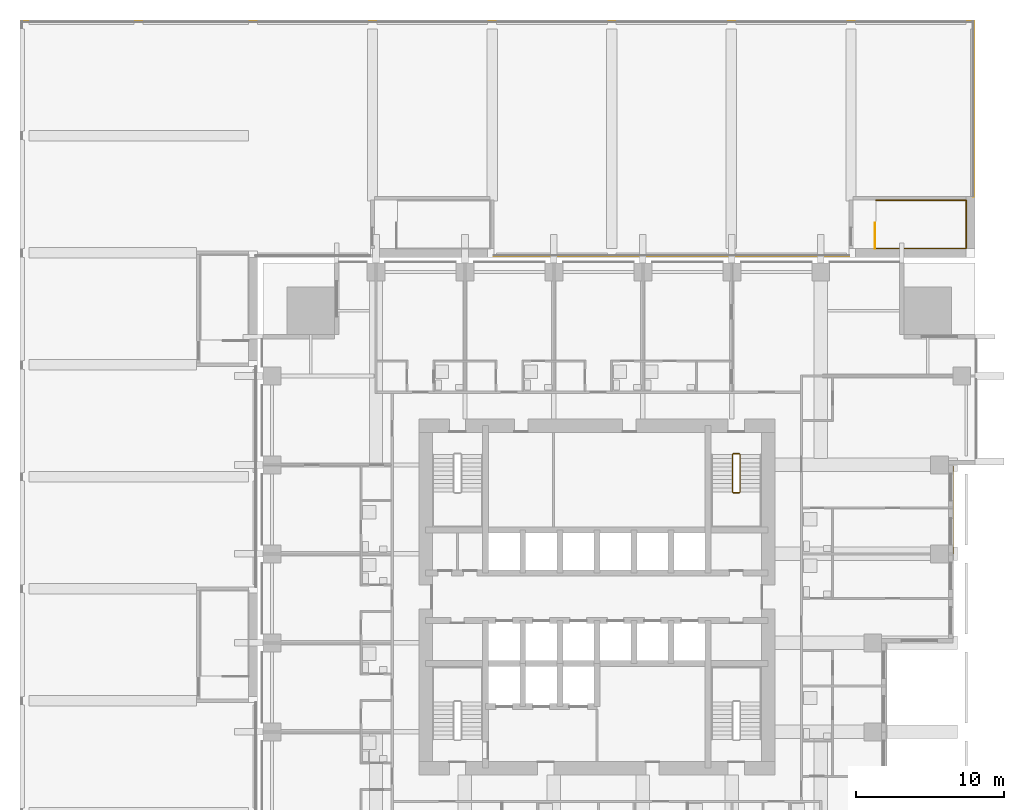
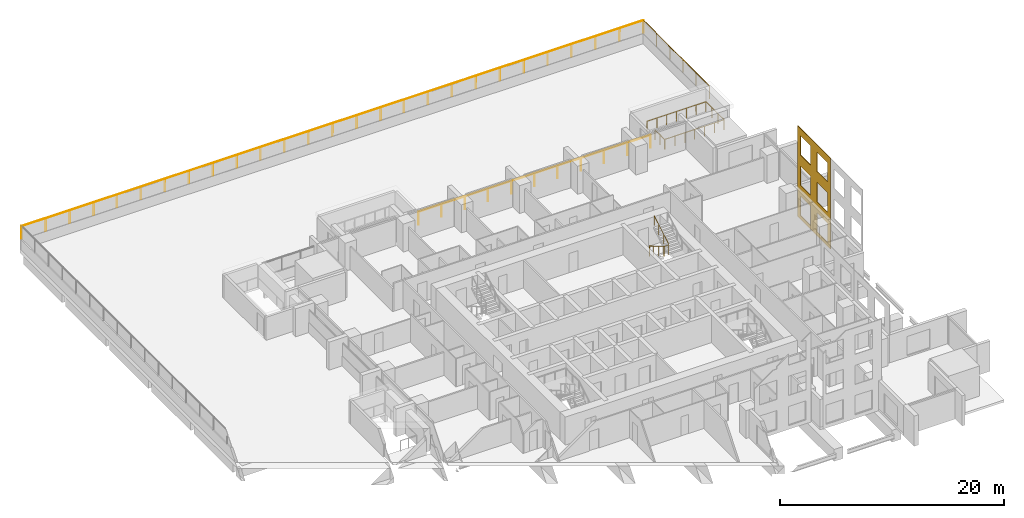
# One storey, part 14 of 15: 6 railings, 1 covering.
"""IFC4 building model written with IfcOpenShell, lengths in metres."""

from ifc_helpers import new_model, si_unit, direction, frame, origin, origin_2d, place, context, subcontext, project, spatial, polyline, circle, outline, extrude, material, layer, layer_set, type_object, element, save


model = new_model("IFC4")

# Units and contexts
model_context = context("Model", 3, precision=1e-05, world=origin(), true_north=direction((0.0, 1.0)))
body_context = subcontext(model_context, "Body", "Model", "MODEL_VIEW")
ifc_project = project(units=[si_unit("LENGTHUNIT", "METRE"), si_unit("AREAUNIT", "SQUARE_METRE"), si_unit("VOLUMEUNIT", "CUBIC_METRE"), si_unit("PLANEANGLEUNIT", "RADIAN"), si_unit("MASSUNIT", "GRAM", prefix="KILO")], contexts=[model_context])

# Site, building, storey
site_placement = place(None, origin())
site = spatial("IfcSite", under=ifc_project, at=site_placement, CompositionType="ELEMENT")
building_placement = place(site_placement, origin())
building = spatial("IfcBuilding", under=site, at=building_placement, Name="Amberfall Residences", CompositionType="ELEMENT")
storey_placement = place(building_placement, frame((0.0, 0.0, 23.5)))
storey = spatial("IfcBuildingStorey", under=building, at=storey_placement, Name="L05", CompositionType="ELEMENT", Elevation=23.5)

# Covering
ifc_material_1 = material(Name="Pale limestone cladding", Category="masonry")
ifc_layer = layer(ifc_material_1, 0.050048828125)
ifc_layer_set = layer_set([ifc_layer], Name="Limestone fascia 50")
covering_type = type_object("IfcCoveringType", Name="Limestone fascia 50", PredefinedType="CLADDING", material=ifc_layer_set)
covering_placement = place(storey_placement, frame((98.5, 48.39990234375, 9.64990234375), z_axis=(-1.0, 0.0, 0.0), x_axis=(0.0, 1.0, 0.0)))
element("IfcCovering", 1, at=covering_placement, inside=storey, type_object=covering_type, Name="Pale limestone cladding L05-L07 E", PredefinedType="CLADDING", context=body_context, shape_type="SweptSolid", body=[
    extrude(outline(polyline([(0.0, 0.0), (5.91015625, 0.0), (5.91015625, 9.89990234375), (0.0, 9.89990234375), (0.0, 0.0)]), holes=[polyline([(0.60009765625, 7.39990234375), (2.400146484375, 7.39990234375), (2.400146484375, 9.5), (0.60009765625, 9.5), (0.60009765625, 7.39990234375)]), polyline([(3.60009765625, 7.39990234375), (5.400146484375, 7.39990234375), (5.400146484375, 9.5), (3.60009765625, 9.5), (3.60009765625, 7.39990234375)]), polyline([(0.60009765625, 4.099853515625), (2.400146484375, 4.099853515625), (2.400146484375, 6.199951171875), (0.60009765625, 6.199951171875), (0.60009765625, 4.099853515625)]), polyline([(3.60009765625, 4.099853515625), (5.400146484375, 4.099853515625), (5.400146484375, 6.199951171875), (3.60009765625, 6.199951171875), (3.60009765625, 4.099853515625)]), polyline([(0.60009765625, 0.7998046875), (2.400146484375, 0.7998046875), (2.400146484375, 2.89990234375), (0.60009765625, 2.89990234375), (0.60009765625, 0.7998046875)]), polyline([(3.60009765625, 0.7998046875), (5.400146484375, 0.7998046875), (5.400146484375, 2.89990234375), (3.60009765625, 2.89990234375), (3.60009765625, 0.7998046875)])]), origin(), (0.0, 0.0, -1.0), 0.050048828125),
])

# Railings
ifc_material_2 = material(Name="Galvanised steel", Category="steel")
railing_type_1 = type_object("IfcRailingType", Name="School playground fence 1400", PredefinedType="GUARDRAIL", material=ifc_material_2)
railing_1_placement = place(storey_placement, frame((67.55810546875, 68.5, 1.10009765625)))
element("IfcRailing", 2, at=railing_1_placement, inside=storey, type_object=railing_type_1, Name="School playground fence", PredefinedType="GUARDRAIL", context=body_context, shape_type="SweptSolid", body=[
    extrude(circle(Radius=0.02392578125, at=origin_2d()), frame((0.0, 0.0, 1.3759765625), z_axis=(1.0, 0.0, 0.0), x_axis=(0.0, 1.0, 0.0)), (0.0, 0.0, 1.0), 23.949951171875),
    extrude(circle(Radius=0.02099609375, at=origin_2d()), origin(), (0.0, 0.0, 1.0), 1.351806640625),
    extrude(circle(Radius=0.02099609375, at=origin_2d()), frame((2.39501953125, 0.0, 0.0)), (0.0, 0.0, 1.0), 1.351806640625),
    extrude(circle(Radius=0.02099609375, at=origin_2d()), frame((4.7900390625, 0.0, 0.0)), (0.0, 0.0, 1.0), 1.351806640625),
    extrude(circle(Radius=0.02099609375, at=origin_2d()), frame((7.18505859375, 0.0, 0.0)), (0.0, 0.0, 1.0), 1.351806640625),
    extrude(circle(Radius=0.02099609375, at=origin_2d()), frame((9.580078125, 0.0, 0.0)), (0.0, 0.0, 1.0), 1.351806640625),
    extrude(circle(Radius=0.02099609375, at=origin_2d()), frame((11.97509765625, 0.0, 0.0)), (0.0, 0.0, 1.0), 1.351806640625),
    extrude(circle(Radius=0.02099609375, at=origin_2d()), frame((14.369873046875, 0.0, 0.0)), (0.0, 0.0, 1.0), 1.351806640625),
    extrude(circle(Radius=0.02099609375, at=origin_2d()), frame((16.764892578125, 0.0, 0.0)), (0.0, 0.0, 1.0), 1.351806640625),
    extrude(circle(Radius=0.02099609375, at=origin_2d()), frame((19.159912109375, 0.0, 0.0)), (0.0, 0.0, 1.0), 1.351806640625),
    extrude(circle(Radius=0.02099609375, at=origin_2d()), frame((21.554931640625, 0.0, 0.0)), (0.0, 0.0, 1.0), 1.351806640625),
    extrude(circle(Radius=0.02099609375, at=origin_2d()), frame((23.949951171875, 0.0, 0.0)), (0.0, 0.0, 1.0), 1.351806640625),
])
railing_2_placement = place(storey_placement, frame((99.89990234375, 72.5, 1.10009765625)))
element("IfcRailing", 3, at=railing_2_placement, inside=storey, type_object=railing_type_1, Name="School playground fence", PredefinedType="GUARDRAIL", context=body_context, shape_type="SweptSolid", body=[
    extrude(circle(Radius=0.02392578125, at=origin_2d()), frame((0.0, 0.0, 1.3759765625), z_axis=(0.0, 1.0, 0.0), x_axis=(-1.0, 0.0, 0.0)), (0.0, 0.0, 1.0), 11.800048828125),
    extrude(circle(Radius=0.02099609375, at=origin_2d()), origin(), (0.0, 0.0, 1.0), 1.351806640625),
    extrude(circle(Radius=0.02099609375, at=origin_2d()), frame((0.0, 2.360107421875, 0.0)), (0.0, 0.0, 1.0), 1.351806640625),
    extrude(circle(Radius=0.02099609375, at=origin_2d()), frame((0.0, 4.719970703125, 0.0)), (0.0, 0.0, 1.0), 1.351806640625),
    extrude(circle(Radius=0.02099609375, at=origin_2d()), frame((0.0, 7.080078125, 0.0)), (0.0, 0.0, 1.0), 1.351806640625),
    extrude(circle(Radius=0.02099609375, at=origin_2d()), frame((0.0, 9.43994140625, 0.0)), (0.0, 0.0, 1.0), 1.351806640625),
    extrude(circle(Radius=0.02099609375, at=origin_2d()), frame((0.0, 11.800048828125, 0.0)), (0.0, 0.0, 1.0), 1.351806640625),
])
railing_3_placement = place(storey_placement, frame((99.89990234375, 84.300048828125, 1.10009765625)))
element("IfcRailing", 4, at=railing_3_placement, inside=storey, type_object=railing_type_1, Name="School playground fence", PredefinedType="GUARDRAIL", context=body_context, shape_type="SweptSolid", body=[
    extrude(circle(Radius=0.02392578125, at=origin_2d()), frame((0.0, 0.0, 1.3759765625), z_axis=(-1.0, 0.0, 0.0), x_axis=(0.0, -1.0, 0.0)), (0.0, 0.0, 1.0), 64.199951171875),
    extrude(circle(Radius=0.02099609375, at=origin_2d()), origin(), (0.0, 0.0, 1.0), 1.351806640625),
    extrude(circle(Radius=0.02099609375, at=origin_2d()), frame((-2.46923828125, 0.0, 0.0)), (0.0, 0.0, 1.0), 1.351806640625),
    extrude(circle(Radius=0.02099609375, at=origin_2d()), frame((-4.9384765625, 0.0, 0.0)), (0.0, 0.0, 1.0), 1.351806640625),
    extrude(circle(Radius=0.02099609375, at=origin_2d()), frame((-7.40771484375, 0.0, 0.0)), (0.0, 0.0, 1.0), 1.351806640625),
    extrude(circle(Radius=0.02099609375, at=origin_2d()), frame((-9.876953125, 0.0, 0.0)), (0.0, 0.0, 1.0), 1.351806640625),
    extrude(circle(Radius=0.02099609375, at=origin_2d()), frame((-12.34619140625, 0.0, 0.0)), (0.0, 0.0, 1.0), 1.351806640625),
    extrude(circle(Radius=0.02099609375, at=origin_2d()), frame((-14.8154296875, 0.0, 0.0)), (0.0, 0.0, 1.0), 1.351806640625),
    extrude(circle(Radius=0.02099609375, at=origin_2d()), frame((-17.28466796875, 0.0, 0.0)), (0.0, 0.0, 1.0), 1.351806640625),
    extrude(circle(Radius=0.02099609375, at=origin_2d()), frame((-19.75390625, 0.0, 0.0)), (0.0, 0.0, 1.0), 1.351806640625),
    extrude(circle(Radius=0.02099609375, at=origin_2d()), frame((-22.22314453125, 0.0, 0.0)), (0.0, 0.0, 1.0), 1.351806640625),
    extrude(circle(Radius=0.02099609375, at=origin_2d()), frame((-24.6923828125, 0.0, 0.0)), (0.0, 0.0, 1.0), 1.351806640625),
    extrude(circle(Radius=0.02099609375, at=origin_2d()), frame((-27.16162109375, 0.0, 0.0)), (0.0, 0.0, 1.0), 1.351806640625),
    extrude(circle(Radius=0.02099609375, at=origin_2d()), frame((-29.630859375, 0.0, 0.0)), (0.0, 0.0, 1.0), 1.351806640625),
    extrude(circle(Radius=0.02099609375, at=origin_2d()), frame((-32.10009765625, 0.0, 0.0)), (0.0, 0.0, 1.0), 1.351806640625),
    extrude(circle(Radius=0.02099609375, at=origin_2d()), frame((-34.569091796875, 0.0, 0.0)), (0.0, 0.0, 1.0), 1.351806640625),
    extrude(circle(Radius=0.02099609375, at=origin_2d()), frame((-37.038330078125, 0.0, 0.0)), (0.0, 0.0, 1.0), 1.351806640625),
    extrude(circle(Radius=0.02099609375, at=origin_2d()), frame((-39.507568359375, 0.0, 0.0)), (0.0, 0.0, 1.0), 1.351806640625),
    extrude(circle(Radius=0.02099609375, at=origin_2d()), frame((-41.976806640625, 0.0, 0.0)), (0.0, 0.0, 1.0), 1.351806640625),
    extrude(circle(Radius=0.02099609375, at=origin_2d()), frame((-44.446044921875, 0.0, 0.0)), (0.0, 0.0, 1.0), 1.351806640625),
    extrude(circle(Radius=0.02099609375, at=origin_2d()), frame((-46.915283203125, 0.0, 0.0)), (0.0, 0.0, 1.0), 1.351806640625),
    extrude(circle(Radius=0.02099609375, at=origin_2d()), frame((-49.384521484375, 0.0, 0.0)), (0.0, 0.0, 1.0), 1.351806640625),
    extrude(circle(Radius=0.02099609375, at=origin_2d()), frame((-51.853759765625, 0.0, 0.0)), (0.0, 0.0, 1.0), 1.351806640625),
    extrude(circle(Radius=0.02099609375, at=origin_2d()), frame((-54.322998046875, 0.0, 0.0)), (0.0, 0.0, 1.0), 1.351806640625),
    extrude(circle(Radius=0.02099609375, at=origin_2d()), frame((-56.792236328125, 0.0, 0.0)), (0.0, 0.0, 1.0), 1.351806640625),
    extrude(circle(Radius=0.02099609375, at=origin_2d()), frame((-59.261474609375, 0.0, 0.0)), (0.0, 0.0, 1.0), 1.351806640625),
    extrude(circle(Radius=0.02099609375, at=origin_2d()), frame((-61.730712890625, 0.0, 0.0)), (0.0, 0.0, 1.0), 1.351806640625),
    extrude(circle(Radius=0.02099609375, at=origin_2d()), frame((-64.199951171875, 0.0, 0.0)), (0.0, 0.0, 1.0), 1.351806640625),
])
ifc_material_3 = material(Name="Stainless steel", Category="steel")
railing_type_2 = type_object("IfcRailingType", Name="School stair guard 1100", PredefinedType="GUARDRAIL", material=ifc_material_3)
railing_4_placement = place(storey_placement, frame((93.258056640625, 69.0, 0.0)))
element("IfcRailing", 5, at=railing_4_placement, inside=storey, type_object=railing_type_2, Name="L05 SS5 top well guard 1", PredefinedType="GUARDRAIL", context=body_context, shape_type="SweptSolid", body=[
    extrude(circle(Radius=0.02392578125, at=origin_2d()), frame((0.0, 0.0, 1.076171875), z_axis=(0.0, 1.0, 0.0), x_axis=(-1.0, 0.0, 0.0)), (0.0, 0.0, 1.0), 1.699951171875),
    extrude(circle(Radius=0.02099609375, at=origin_2d()), origin(), (0.0, 0.0, 1.0), 1.052001953125),
    extrude(circle(Radius=0.02099609375, at=origin_2d()), frame((0.0, 0.85009765625, 0.0)), (0.0, 0.0, 1.0), 1.052001953125),
    extrude(circle(Radius=0.02099609375, at=origin_2d()), frame((0.0, 1.699951171875, 0.0)), (0.0, 0.0, 1.0), 1.052001953125),
])
railing_5_placement = place(storey_placement, frame((93.30810546875, 69.0, 0.0)))
element("IfcRailing", 6, at=railing_5_placement, inside=storey, type_object=railing_type_2, Name="School roof stair well guard SS5", PredefinedType="GUARDRAIL", context=body_context, shape_type="SweptSolid", body=[
    extrude(circle(Radius=0.02392578125, at=origin_2d()), frame((0.0, 0.0, 1.076171875), z_axis=(1.0, 0.0, 0.0), x_axis=(0.0, 1.0, 0.0)), (0.0, 0.0, 1.0), 6.091796875),
    extrude(circle(Radius=0.02392578125, at=origin_2d()), frame((6.091796875, 0.0, 1.076171875), z_axis=(0.0, 1.0, 0.0), x_axis=(-1.0, 0.0, 0.0)), (0.0, 0.0, 1.0), 3.25),
    extrude(circle(Radius=0.02392578125, at=origin_2d()), frame((6.091796875, 3.25, 1.076171875), z_axis=(-1.0, 0.0, 0.0), x_axis=(0.0, -1.0, 0.0)), (0.0, 0.0, 1.0), 6.091796875),
    extrude(circle(Radius=0.02099609375, at=origin_2d()), origin(), (0.0, 0.0, 1.0), 1.052001953125),
    extrude(circle(Radius=0.02099609375, at=origin_2d()), frame((1.015380859375, 0.0, 0.0)), (0.0, 0.0, 1.0), 1.052001953125),
    extrude(circle(Radius=0.02099609375, at=origin_2d()), frame((2.030517578125, 0.0, 0.0)), (0.0, 0.0, 1.0), 1.052001953125),
    extrude(circle(Radius=0.02099609375, at=origin_2d()), frame((3.0458984375, 0.0, 0.0)), (0.0, 0.0, 1.0), 1.052001953125),
    extrude(circle(Radius=0.02099609375, at=origin_2d()), frame((4.061279296875, 0.0, 0.0)), (0.0, 0.0, 1.0), 1.052001953125),
    extrude(circle(Radius=0.02099609375, at=origin_2d()), frame((5.076416015625, 0.0, 0.0)), (0.0, 0.0, 1.0), 1.052001953125),
    extrude(circle(Radius=0.02099609375, at=origin_2d()), frame((6.091796875, 0.0, 0.0)), (0.0, 0.0, 1.0), 1.052001953125),
    extrude(circle(Radius=0.02099609375, at=origin_2d()), frame((6.091796875, 1.083251953125, 0.0)), (0.0, 0.0, 1.0), 1.052001953125),
    extrude(circle(Radius=0.02099609375, at=origin_2d()), frame((6.091796875, 2.166748046875, 0.0)), (0.0, 0.0, 1.0), 1.052001953125),
    extrude(circle(Radius=0.02099609375, at=origin_2d()), frame((6.091796875, 3.25, 0.0)), (0.0, 0.0, 1.0), 1.052001953125),
    extrude(circle(Radius=0.02099609375, at=origin_2d()), frame((5.076416015625, 3.25, 0.0)), (0.0, 0.0, 1.0), 1.052001953125),
    extrude(circle(Radius=0.02099609375, at=origin_2d()), frame((4.061279296875, 3.25, 0.0)), (0.0, 0.0, 1.0), 1.052001953125),
    extrude(circle(Radius=0.02099609375, at=origin_2d()), frame((3.0458984375, 3.25, 0.0)), (0.0, 0.0, 1.0), 1.052001953125),
    extrude(circle(Radius=0.02099609375, at=origin_2d()), frame((2.030517578125, 3.25, 0.0)), (0.0, 0.0, 1.0), 1.052001953125),
    extrude(circle(Radius=0.02099609375, at=origin_2d()), frame((1.015380859375, 3.25, 0.0)), (0.0, 0.0, 1.0), 1.052001953125),
    extrude(circle(Radius=0.02099609375, at=origin_2d()), frame((0.0, 3.25, 0.0)), (0.0, 0.0, 1.0), 1.052001953125),
])
ifc_material_4 = material(Name="Stainless steel 316", Category="steel")
railing_type_3 = type_object("IfcRailingType", Name="Stair guard 1100", PredefinedType="GUARDRAIL", material=ifc_material_4)
railing_6_placement = place(storey_placement, frame((84.10009765625, 55.14990234375, 0.0)))
element("IfcRailing", 7, at=railing_6_placement, inside=storey, type_object=railing_type_3, Name="L05 stair 3 guard", PredefinedType="GUARDRAIL", context=body_context, shape_type="SweptSolid", body=[
    extrude(circle(Radius=0.02392578125, at=origin_2d()), frame((0.0, 0.0, 1.076171875), z_axis=(-1.0, 0.0, 0.0), x_axis=(0.0, -1.0, 0.0)), (0.0, 0.0, 1.0), 0.400146484375),
    extrude(circle(Radius=0.02392578125, at=origin_2d()), frame((-0.400146484375, 0.0, 1.076171875), z_axis=(-0.278810427259, -0.277450376394, 0.919394384522), x_axis=(0.705375805398, -0.708833529934, 0.0)), (0.0, 0.0, 1.0), 0.179443359375),
    extrude(circle(Radius=0.02392578125, at=origin_2d()), frame((-0.4501953125, -0.0498046875, 1.2412109375), z_axis=(0.0, -0.861560626758, 0.507654692109), x_axis=(1.0, 0.0, 0.0)), (0.0, 0.0, 1.0), 2.925048828125),
    extrude(circle(Radius=0.02392578125, at=origin_2d()), frame((-0.4501953125, -2.56982421875, 2.72607421875), z_axis=(0.707106781187, -0.707106781187, 0.0), x_axis=(0.707106781187, 0.707106781187, 0.0)), (0.0, 0.0, 1.0), 0.07080078125),
    extrude(circle(Radius=0.02392578125, at=origin_2d()), frame((-0.400146484375, -2.619873046875, 2.72607421875), z_axis=(1.0, 0.0, 0.0), x_axis=(0.0, 1.0, 0.0)), (0.0, 0.0, 1.0), 0.400146484375),
    extrude(circle(Radius=0.02392578125, at=origin_2d()), frame((0.0, -2.619873046875, 2.72607421875), z_axis=(0.277450376394, 0.278810427259, 0.919394384522), x_axis=(-0.708833529934, 0.705375805398, 0.0)), (0.0, 0.0, 1.0), 0.179443359375),
    extrude(circle(Radius=0.02392578125, at=origin_2d()), frame((0.0498046875, -2.56982421875, 2.89111328125), z_axis=(0.0, 0.86152411907, 0.507716645641), x_axis=(-1.0, 0.0, 0.0)), (0.0, 0.0, 1.0), 2.925048828125),
    extrude(circle(Radius=0.02099609375, at=origin_2d()), origin(), (0.0, 0.0, 1.0), 1.052001953125),
    extrude(circle(Radius=0.02099609375, at=origin_2d()), frame((-0.400146484375, 0.0, 0.0)), (0.0, 0.0, 1.0), 1.052001953125),
    extrude(circle(Radius=0.02099609375, at=origin_2d()), frame((-0.4501953125, -0.0498046875, 0.1650390625)), (0.0, 0.0, 1.0), 1.052001953125),
    extrude(circle(Radius=0.02099609375, at=origin_2d()), frame((-0.4501953125, -0.889892578125, 0.659912109375)), (0.0, 0.0, 1.0), 1.052001953125),
    extrude(circle(Radius=0.02099609375, at=origin_2d()), frame((-0.4501953125, -1.729736328125, 1.155029296875)), (0.0, 0.0, 1.0), 1.052001953125),
    extrude(circle(Radius=0.02099609375, at=origin_2d()), frame((-0.4501953125, -2.56982421875, 1.64990234375)), (0.0, 0.0, 1.0), 1.052001953125),
    extrude(circle(Radius=0.02099609375, at=origin_2d()), frame((-0.400146484375, -2.619873046875, 1.64990234375)), (0.0, 0.0, 1.0), 1.052001953125),
    extrude(circle(Radius=0.02099609375, at=origin_2d()), frame((0.0, -2.619873046875, 1.64990234375)), (0.0, 0.0, 1.0), 1.052001953125),
    extrude(circle(Radius=0.02099609375, at=origin_2d()), frame((0.0498046875, -2.56982421875, 1.81494140625)), (0.0, 0.0, 1.0), 1.052001953125),
    extrude(circle(Radius=0.02099609375, at=origin_2d()), frame((0.0498046875, -1.729736328125, 2.31005859375)), (0.0, 0.0, 1.0), 1.052001953125),
    extrude(circle(Radius=0.02099609375, at=origin_2d()), frame((0.0498046875, -0.889892578125, 2.804931640625)), (0.0, 0.0, 1.0), 1.052001953125),
    extrude(circle(Radius=0.02099609375, at=origin_2d()), frame((0.0498046875, -0.0498046875, 3.300048828125)), (0.0, 0.0, 1.0), 1.052001953125),
])

save(model, "model.ifc")
